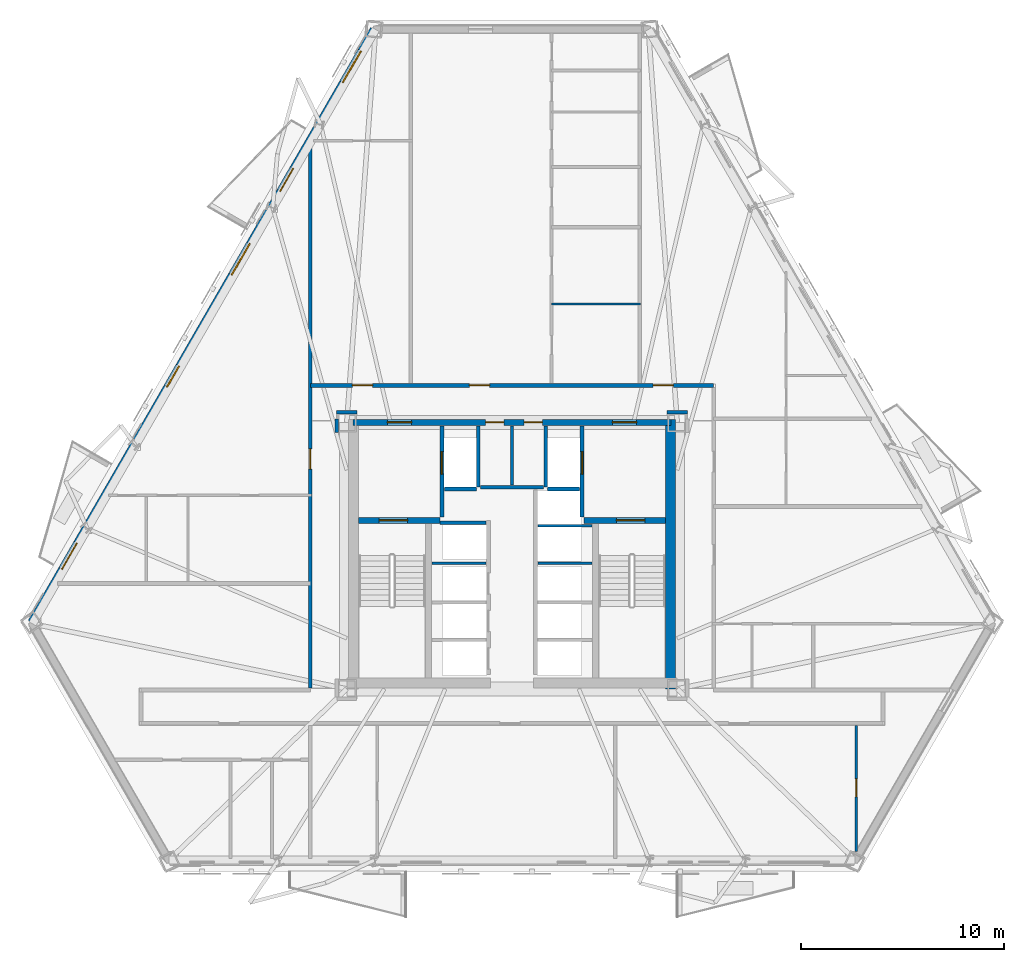
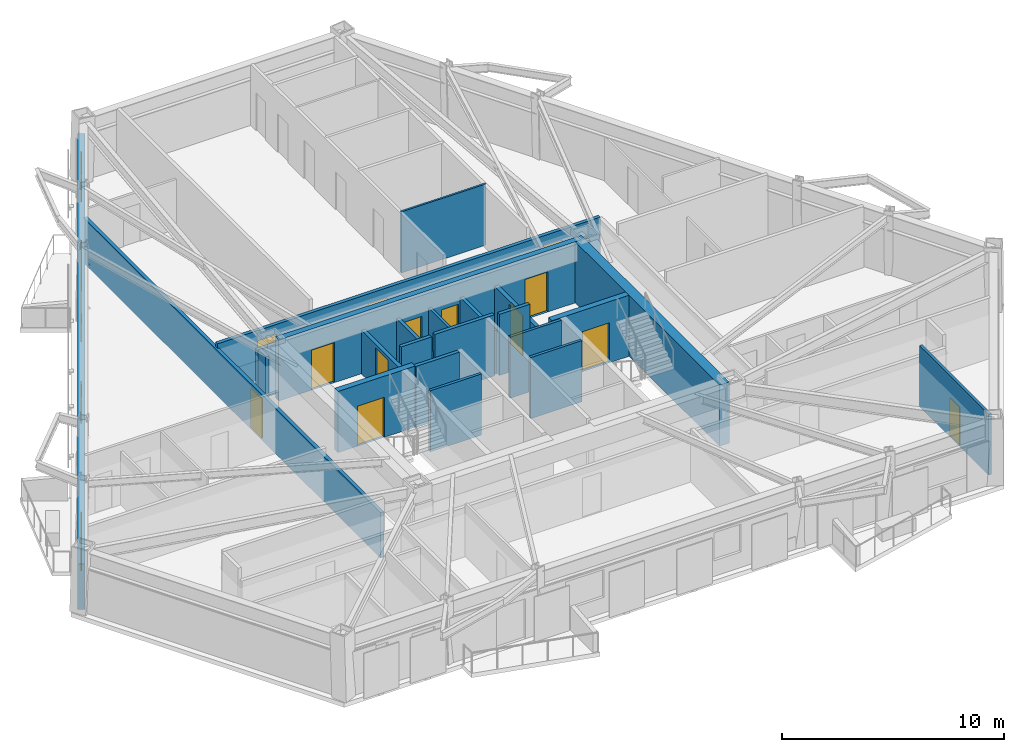
# One storey, part 4 of 10: 24 walls, 15 doors, 3 windows, 18 openings.
"""IFC4 building model written with IfcOpenShell, lengths in metres."""

from ifc_helpers import new_model, si_unit, direction, frame, frame_2d, origin, place, context, subcontext, project, spatial, rectangle, extrude, material, layer, layer_set, type_object, element, fill, save


model = new_model("IFC4")

# Units and contexts
model_context = context("Model", 3, precision=1e-05, world=origin(), true_north=direction((0.0, 1.0)))
body_context = subcontext(model_context, "Body", "Model", "MODEL_VIEW")
ifc_project = project(units=[si_unit("LENGTHUNIT", "METRE"), si_unit("AREAUNIT", "SQUARE_METRE"), si_unit("VOLUMEUNIT", "CUBIC_METRE"), si_unit("PLANEANGLEUNIT", "RADIAN"), si_unit("MASSUNIT", "GRAM", prefix="KILO")], contexts=[model_context])

# Site, building, storey
site_placement = place(None, origin())
site = spatial("IfcSite", under=ifc_project, at=site_placement, CompositionType="ELEMENT")
building_placement = place(site_placement, origin())
building = spatial("IfcBuilding", under=site, at=building_placement, Name="Oramaril Tower", CompositionType="ELEMENT")
storey_placement = place(building_placement, frame((0.0, 0.0, 66.89990234375)))
storey = spatial("IfcBuildingStorey", under=building, at=storey_placement, Name="L17", CompositionType="ELEMENT", Elevation=66.89990234375)

# Wall, openings, doors, windows
ifc_material_1 = material(Name="Warm Cream Limestone", Category="masonry")
ifc_layer_1 = layer(ifc_material_1, 0.340087890625)
ifc_layer_set_1 = layer_set([ifc_layer_1], Name="WT-EXT34")
wall_type_1 = type_object("IfcWallType", Name="WT-EXT34", PredefinedType="SOLIDWALL", material=ifc_layer_set_1)
wall_1_placement = place(storey_placement, frame((30.669189453125, 43.537109375, 0.0), z_axis=(0.0, 0.0, 1.0), x_axis=(-0.499997235847, -0.866026999663, 0.0)))
wall_1 = element("IfcWall", 1, at=wall_1_placement, inside=storey, type_object=wall_type_1, Name="L17 Tower Limestone Facade Wall 6M", PredefinedType="SOLIDWALL", context=body_context, shape_type="SweptSolid", body=[
    extrude(rectangle(XDim=33.763427734375, YDim=0.340087890625, at=frame_2d((16.8818359375, 0.0))), origin(), (0.0, 0.0, 1.0), 2.494140625),
])
opening_1_placement = place(wall_1_placement, frame((7.92431640625, 0.0, 0.0)))
opening_1 = element("IfcOpeningElement", 2, at=opening_1_placement, cuts=wall_1, Name="Opening D-L17-BAL-NW1", PredefinedType="OPENING", context=body_context, shape_type="SweptSolid", body=[
    extrude(rectangle(XDim=1.300048828125, YDim=2.199951171875, at=frame_2d((0.64990234375, 1.10009765625))), frame((0.0, 0.169921875, 0.0), z_axis=(0.0, -1.0, 0.0), x_axis=(1.0, 0.0, 0.0)), (0.0, 0.0, 1.0), 0.340087890625),
])
opening_2_placement = place(wall_1_placement, frame((29.254150390625, 0.0, 0.0)))
opening_2 = element("IfcOpeningElement", 3, at=opening_2_placement, cuts=wall_1, Name="Opening D-L17-BAL-NW2", PredefinedType="OPENING", context=body_context, shape_type="SweptSolid", body=[
    extrude(rectangle(XDim=1.5, YDim=2.199951171875, at=frame_2d((0.75, 1.10009765625))), frame((0.0, 0.169921875, 0.0), z_axis=(0.0, -1.0, 0.0), x_axis=(1.0, 0.0, 0.0)), (0.0, 0.0, 1.0), 0.340087890625),
])
opening_3_placement = place(wall_1_placement, frame((12.19921875, 0.0, 0.85009765625)))
opening_3 = element("IfcOpeningElement", 4, at=opening_3_placement, cuts=wall_1, Name="Opening WN-06", PredefinedType="OPENING", context=body_context, shape_type="SweptSolid", body=[
    extrude(rectangle(XDim=1.800048828125, YDim=1.533935546875, at=frame_2d((0.89990234375, 0.76708984375))), frame((0.0, 0.169921875, 0.0), z_axis=(0.0, -1.0, 0.0), x_axis=(1.0, 0.0, 0.0)), (0.0, 0.0, 1.0), 0.340087890625),
])
opening_4_placement = place(wall_1_placement, frame((19.18115234375, 0.0, 0.85009765625)))
opening_4 = element("IfcOpeningElement", 5, at=opening_4_placement, cuts=wall_1, Name="Opening WN-09", PredefinedType="OPENING", context=body_context, shape_type="SweptSolid", body=[
    extrude(rectangle(XDim=1.199951171875, YDim=1.47998046875, at=frame_2d((0.60009765625, 0.739990234375))), frame((0.0, 0.169921875, 0.0), z_axis=(0.0, -1.0, 0.0), x_axis=(1.0, 0.0, 0.0)), (0.0, 0.0, 1.0), 0.340087890625),
])
opening_5_placement = place(wall_1_placement, frame((1.23095703125, 0.0, 0.85009765625)))
opening_5 = element("IfcOpeningElement", 6, at=opening_5_placement, cuts=wall_1, Name="Opening WN-06", PredefinedType="OPENING", context=body_context, shape_type="SweptSolid", body=[
    extrude(rectangle(XDim=1.800048828125, YDim=1.533935546875, at=frame_2d((0.89990234375, 0.76708984375))), frame((0.0, 0.169921875, 0.0), z_axis=(0.0, -1.0, 0.0), x_axis=(1.0, 0.0, 0.0)), (0.0, 0.0, 1.0), 0.340087890625),
])
ifc_material_2 = material(Name="Anodised Aluminium 6063-T6", Category="aluminium")
door_type_1 = type_object("IfcDoorType", Name="DT-BAL", OperationType="NOTDEFINED", PredefinedType="DOOR", material=ifc_material_2)
door_1_placement = place(opening_2_placement, origin())
door_1 = element("IfcDoor", 7, at=door_1_placement, inside=storey, type_object=door_type_1, Name="L17 Balcony Glazed Door L17-BAL-NW2", OperationType="SINGLE_SWING_LEFT", OverallHeight=2.199951171875, OverallWidth=1.5, PredefinedType="DOOR", context=body_context, shape_type="SweptSolid", body=[
    extrude(rectangle(XDim=1.5, YDim=2.199951171875, at=frame_2d((0.75, 1.10009765625))), frame((0.0, 0.02490234375, 0.0), z_axis=(0.0, -1.0, 0.0), x_axis=(1.0, 0.0, 0.0)), (0.0, 0.0, 1.0), 0.050048828125),
])
fill(opening_2, door_1)
ifc_material_3 = material(Name="Anodised Aluminium 6063-T6", Category="aluminium")
door_type_2 = type_object("IfcDoorType", Name="DT-E2", OperationType="NOTDEFINED", PredefinedType="DOOR", material=ifc_material_3)
door_2_placement = place(opening_1_placement, origin())
door_2 = element("IfcDoor", 8, at=door_2_placement, inside=storey, type_object=door_type_2, Name="L17 Balcony Glazed Door L17-BAL-NW1", OperationType="SINGLE_SWING_RIGHT", OverallHeight=2.199951171875, OverallWidth=1.300048828125, PredefinedType="DOOR", context=body_context, shape_type="SweptSolid", body=[
    extrude(rectangle(XDim=1.300048828125, YDim=2.199951171875, at=frame_2d((0.64990234375, 1.10009765625))), frame((0.0, 0.02490234375, 0.0), z_axis=(0.0, -1.0, 0.0), x_axis=(1.0, 0.0, 0.0)), (0.0, 0.0, 1.0), 0.050048828125),
])
fill(opening_1, door_2)
ifc_material_4 = material(Name="Coastal Low-E Insulated Glass", Category="glass")
window_type_1 = type_object("IfcWindowType", Name="WNT-06", PartitioningType="SINGLE_PANEL", PredefinedType="WINDOW", material=ifc_material_4)
window_1_placement = place(opening_3_placement, origin())
window_1 = element("IfcWindow", 9, at=window_1_placement, inside=storey, type_object=window_type_1, Name="L17 Chicago Bay Window WN-06", OverallHeight=1.533935546875, OverallWidth=1.800048828125, PartitioningType="SINGLE_PANEL", PredefinedType="WINDOW", context=body_context, shape_type="SweptSolid", body=[
    extrude(rectangle(XDim=1.800048828125, YDim=1.533935546875, at=frame_2d((0.89990234375, 0.76708984375))), frame((0.0, 0.030029296875, 0.0), z_axis=(0.0, -1.0, 0.0), x_axis=(1.0, 0.0, 0.0)), (0.0, 0.0, 1.0), 0.06005859375),
])
fill(opening_3, window_1)
window_2_placement = place(opening_5_placement, origin())
window_2 = element("IfcWindow", 10, at=window_2_placement, inside=storey, type_object=window_type_1, Name="L17 Chicago Bay Window WN-06", OverallHeight=1.533935546875, OverallWidth=1.800048828125, PartitioningType="SINGLE_PANEL", PredefinedType="WINDOW", context=body_context, shape_type="SweptSolid", body=[
    extrude(rectangle(XDim=1.800048828125, YDim=1.533935546875, at=frame_2d((0.89990234375, 0.76708984375))), frame((0.0, 0.030029296875, 0.0), z_axis=(0.0, -1.0, 0.0), x_axis=(1.0, 0.0, 0.0)), (0.0, 0.0, 1.0), 0.06005859375),
])
fill(opening_5, window_2)
ifc_material_5 = material(Name="Coastal Low-E Insulated Glass", Category="glass")
window_type_2 = type_object("IfcWindowType", Name="WNT-09", PartitioningType="SINGLE_PANEL", PredefinedType="WINDOW", material=ifc_material_5)
window_3_placement = place(opening_4_placement, origin())
window_3 = element("IfcWindow", 11, at=window_3_placement, inside=storey, type_object=window_type_2, Name="L17 Chicago Bay Window WN-09", OverallHeight=1.47998046875, OverallWidth=1.199951171875, PartitioningType="SINGLE_PANEL", PredefinedType="WINDOW", context=body_context, shape_type="SweptSolid", body=[
    extrude(rectangle(XDim=1.199951171875, YDim=1.47998046875, at=frame_2d((0.60009765625, 0.739990234375))), frame((0.0, 0.030029296875, 0.0), z_axis=(0.0, -1.0, 0.0), x_axis=(1.0, 0.0, 0.0)), (0.0, 0.0, 1.0), 0.06005859375),
])
fill(opening_4, window_3)

# Walls
ifc_material_6 = material(Name="Acoustic Gypsum Board Partition")
ifc_layer_2 = layer(ifc_material_6, 0.10009765625)
ifc_layer_set_2 = layer_set([ifc_layer_2], Name="WT-PT10")
wall_type_2 = type_object("IfcWallType", Name="WT-PT10", PredefinedType="PARTITIONING", material=ifc_layer_set_2)
wall_2_placement = place(storey_placement, frame((39.449951171875, 29.989990234375, 0.0), z_axis=(0.0, 0.0, 1.0), x_axis=(1.0, 0.0, 0.0)))
element("IfcWall", 12, at=wall_2_placement, inside=storey, type_object=wall_type_2, Name="L17 Interior Partition PT-10", PredefinedType="PARTITIONING", context=body_context, shape_type="SweptSolid", body=[
    extrude(rectangle(XDim=4.400146484375, YDim=0.10009765625, at=frame_2d((2.2001953125, 0.0))), origin(), (0.0, 0.0, 1.0), 3.360107421875),
])
ifc_material_7 = material(Name="Acoustic Gypsum Board Partition")
ifc_layer_3 = layer(ifc_material_7, 0.139892578125)
ifc_layer_set_3 = layer_set([ifc_layer_3], Name="WT-PT14")
wall_type_3 = type_object("IfcWallType", Name="WT-PT14", PredefinedType="PARTITIONING", material=ifc_layer_set_3)
for number, where, z_axis, x_axis, name in (
    (13, (33.56005859375, 17.199951171875, 0.0), (0.0, 0.0, 1.0), (1.0, 0.0, 0.0), "L17 West Lift Divider"),
    (14, (38.780029296875, 17.199951171875, 0.0), (0.0, 0.0, 1.0), (1.0, 0.0, 0.0), "L17 East Lift Divider"),
    (15, (38.780029296875, 19.050048828125, 0.0), (0.0, 0.0, 1.0), (1.0, 0.0, 0.0), "L17 East Lift Divider"),
):
    element("IfcWall", number, at=place(storey_placement, frame(where, z_axis=z_axis, x_axis=x_axis)), inside=storey, type_object=wall_type_3, Name=name, PredefinedType="PARTITIONING", context=body_context, shape_type="SweptSolid", body=[
        extrude(rectangle(XDim=2.659912109375, YDim=0.139892578125, at=frame_2d((1.330078125, 0.0))), origin(), (0.0, 0.0, 1.0), 3.360107421875),
    ])
wall_3_placement = place(storey_placement, frame((37.5, 21.06005859375, 0.0), z_axis=(0.0, 0.0, 1.0), x_axis=(0.0, 1.0, 0.0)))
element("IfcWall", 16, at=wall_3_placement, inside=storey, type_object=wall_type_3, Name="L17 Core Service Divider", PredefinedType="PARTITIONING", context=body_context, shape_type="SweptSolid", body=[
    extrude(rectangle(XDim=2.919921875, YDim=0.139892578125, at=frame_2d((1.4599609375, 0.0))), origin(), (0.0, 0.0, 1.0), 2.400146484375),
])

# Wall, opening, door
wall_4_placement = place(storey_placement, frame((54.47998046875, 2.98388671875, 0.0), z_axis=(0.0, 0.0, 1.0), x_axis=(0.0, 1.0, 0.0)))
wall_4 = element("IfcWall", 17, at=wall_4_placement, inside=storey, type_object=wall_type_3, Name="L17 Interior Partition PT-14", PredefinedType="PARTITIONING", context=body_context, shape_type="SweptSolid", body=[
    extrude(rectangle(XDim=6.22216796875, YDim=0.139892578125, at=frame_2d((3.111083984375, 0.0))), origin(), (0.0, 0.0, 1.0), 3.360107421875),
])
opening_6_placement = place(wall_4_placement, frame((2.69580078125, 0.0, 0.0)))
opening_6 = element("IfcOpeningElement", 18, at=opening_6_placement, cuts=wall_4, Name="Opening D-L17-30", PredefinedType="OPENING", context=body_context, shape_type="SweptSolid", body=[
    extrude(rectangle(XDim=0.8798828125, YDim=2.080078125, at=frame_2d((0.43994140625, 1.0400390625))), frame((0.0, 0.06982421875, 0.0), z_axis=(0.0, -1.0, 0.0), x_axis=(1.0, 0.0, 0.0)), (0.0, 0.0, 1.0), 0.139892578125),
])
ifc_material_8 = material(Name="FSC Brazilian Freijo Hardwood", Category="wood")
door_type_3 = type_object("IfcDoorType", Name="DT-BATH", OperationType="NOTDEFINED", PredefinedType="DOOR", material=ifc_material_8)
door_3_placement = place(opening_6_placement, origin())
door_3 = element("IfcDoor", 19, at=door_3_placement, inside=storey, type_object=door_type_3, Name="L17 Flat L17-U2 Bathroom Door D-L17-30", OperationType="SINGLE_SWING_LEFT", OverallHeight=2.080078125, OverallWidth=0.8798828125, PredefinedType="DOOR", context=body_context, shape_type="SweptSolid", body=[
    extrude(rectangle(XDim=0.8798828125, YDim=2.080078125, at=frame_2d((0.43994140625, 1.0400390625))), frame((0.0, 0.02490234375, 0.0), z_axis=(0.0, -1.0, 0.0), x_axis=(1.0, 0.0, 0.0)), (0.0, 0.0, 1.0), 0.050048828125),
])
fill(opening_6, door_3)

# Walls
ifc_material_9 = material(Name="Autoclaved Cellular Concrete Block", Category="concrete")
ifc_layer_4 = layer(ifc_material_9, 0.179931640625)
ifc_layer_set_4 = layer_set([ifc_layer_4], Name="WT-PT18")
wall_type_4 = type_object("IfcWallType", Name="WT-PT18", PredefinedType="PARTITIONING", material=ifc_layer_set_4)
wall_5_placement = place(storey_placement, frame((35.840087890625, 20.9599609375, 0.0), z_axis=(0.0, 0.0, 1.0), x_axis=(0.0, 1.0, 0.0)))
element("IfcWall", 20, at=wall_5_placement, inside=storey, type_object=wall_type_4, Name="L17 FL-1 East Shaft Wall", PredefinedType="PARTITIONING", context=body_context, shape_type="SweptSolid", body=[
    extrude(rectangle(XDim=3.02001953125, YDim=0.179931640625, at=frame_2d((1.510009765625, 0.0))), origin(), (0.0, 0.0, 1.0), 2.400146484375),
])
wall_6_placement = place(storey_placement, frame((34.159912109375, 20.860107421875, 0.0), z_axis=(0.0, 0.0, 1.0), x_axis=(1.0, 0.0, 0.0)))
element("IfcWall", 21, at=wall_6_placement, inside=storey, type_object=wall_type_4, Name="L17 FL-1 South Shaft Wall", PredefinedType="PARTITIONING", context=body_context, shape_type="SweptSolid", body=[
    extrude(rectangle(XDim=1.580078125, YDim=0.179931640625, at=frame_2d((0.7900390625, 0.0))), origin(), (0.0, 0.0, 1.0), 3.360107421875),
])
wall_7_placement = place(storey_placement, frame((39.159912109375, 20.9599609375, 0.0), z_axis=(0.0, 0.0, 1.0), x_axis=(0.0, 1.0, 0.0)))
element("IfcWall", 22, at=wall_7_placement, inside=storey, type_object=wall_type_4, Name="L17 FL-2 West Shaft Wall", PredefinedType="PARTITIONING", context=body_context, shape_type="SweptSolid", body=[
    extrude(rectangle(XDim=3.02001953125, YDim=0.179931640625, at=frame_2d((1.510009765625, 0.0))), origin(), (0.0, 0.0, 1.0), 2.400146484375),
])
wall_8_placement = place(storey_placement, frame((39.260009765625, 20.860107421875, 0.0), z_axis=(0.0, 0.0, 1.0), x_axis=(1.0, 0.0, 0.0)))
element("IfcWall", 23, at=wall_8_placement, inside=storey, type_object=wall_type_4, Name="L17 FL-2 South Shaft Wall", PredefinedType="PARTITIONING", context=body_context, shape_type="SweptSolid", body=[
    extrude(rectangle(XDim=1.580078125, YDim=0.179931640625, at=frame_2d((0.7900390625, 0.0))), origin(), (0.0, 0.0, 1.0), 3.360107421875),
])
wall_9_placement = place(storey_placement, frame((33.949951171875, 19.199951171875, 0.0), z_axis=(0.0, 0.0, 1.0), x_axis=(1.0, 0.0, 0.0)))
element("IfcWall", 24, at=wall_9_placement, inside=storey, type_object=wall_type_4, Name="L17 High-Rise Lift H1 North Shaft Wall", PredefinedType="PARTITIONING", context=body_context, shape_type="SweptSolid", body=[
    extrude(rectangle(XDim=2.27001953125, YDim=0.179931640625, at=frame_2d((1.135009765625, 0.0))), origin(), (0.0, 0.0, 1.0), 3.360107421875),
])
wall_10_placement = place(storey_placement, frame((35.949951171875, 20.949951171875, 0.0), z_axis=(0.0, 0.0, 1.0), x_axis=(1.0, 0.0, 0.0)))
element("IfcWall", 25, at=wall_10_placement, inside=storey, type_object=wall_type_4, Name="L17 Lift Lobby North Partition", PredefinedType="PARTITIONING", context=body_context, shape_type="SweptSolid", body=[
    extrude(rectangle(XDim=3.10009765625, YDim=0.179931640625, at=frame_2d((1.550048828125, 0.0))), origin(), (0.0, 0.0, 1.0), 3.360107421875),
])
for number, where, z_axis, x_axis, name in (
    (26, (28.85498046875, 24.639892578125, 0.0), (0.0, 0.0, 1.0), (1.0, 0.0, 0.0), "L17 Interior Partition PT-18"),
    (27, (45.155029296875, 24.639892578125, 0.0), (0.0, 0.0, 1.0), (1.0, 0.0, 0.0), "L17 Interior Partition PT-18"),
):
    element("IfcWall", number, at=place(storey_placement, frame(where, z_axis=z_axis, x_axis=x_axis)), inside=storey, type_object=wall_type_4, Name=name, PredefinedType="PARTITIONING", context=body_context, shape_type="SweptSolid", body=[
        extrude(rectangle(XDim=0.989990234375, YDim=0.179931640625, at=frame_2d((0.4951171875, 0.0))), origin(), (0.0, 0.0, 1.0), 2.738037109375),
    ])

# Wall, openings, doors
wall_11_placement = place(storey_placement, frame((27.550048828125, 25.969970703125, 0.0), z_axis=(0.0, 0.0, 1.0), x_axis=(1.0, 0.0, 0.0)))
wall_11 = element("IfcWall", 28, at=wall_11_placement, inside=storey, type_object=wall_type_4, Name="L17 Interior Partition PT-18", PredefinedType="PARTITIONING", context=body_context, shape_type="SweptSolid", body=[
    extrude(rectangle(XDim=19.89990234375, YDim=0.179931640625, at=frame_2d((9.949951171875, 0.0))), origin(), (0.0, 0.0, 1.0), 2.738037109375),
])
opening_7_placement = place(wall_11_placement, frame((2.0703125, 0.0, 0.0)))
opening_7 = element("IfcOpeningElement", 29, at=opening_7_placement, cuts=wall_11, Name="Opening D-L17-13", PredefinedType="OPENING", context=body_context, shape_type="SweptSolid", body=[
    extrude(rectangle(XDim=1.0, YDim=2.179931640625, at=frame_2d((0.5, 1.08984375))), frame((0.0, 0.08984375, 0.0), z_axis=(0.0, -1.0, 0.0), x_axis=(1.0, 0.0, 0.0)), (0.0, 0.0, 1.0), 0.179931640625),
])
opening_8_placement = place(wall_11_placement, frame((7.851318359375, 0.0, 0.0)))
opening_8 = element("IfcOpeningElement", 30, at=opening_8_placement, cuts=wall_11, Name="Opening D-L17-14", PredefinedType="OPENING", context=body_context, shape_type="SweptSolid", body=[
    extrude(rectangle(XDim=1.0, YDim=2.179931640625, at=frame_2d((0.5, 1.08984375))), frame((0.0, 0.08984375, 0.0), z_axis=(0.0, -1.0, 0.0), x_axis=(1.0, 0.0, 0.0)), (0.0, 0.0, 1.0), 0.179931640625),
])
opening_9_placement = place(wall_11_placement, frame((16.91552734375, 0.0, 0.0)))
opening_9 = element("IfcOpeningElement", 31, at=opening_9_placement, cuts=wall_11, Name="Opening D-L17-15", PredefinedType="OPENING", context=body_context, shape_type="SweptSolid", body=[
    extrude(rectangle(XDim=1.0, YDim=2.179931640625, at=frame_2d((0.5, 1.08984375))), frame((0.0, 0.08984375, 0.0), z_axis=(0.0, -1.0, 0.0), x_axis=(1.0, 0.0, 0.0)), (0.0, 0.0, 1.0), 0.179931640625),
])
ifc_material_10 = material(Name="FSC Brazilian Freijo Hardwood", Category="wood")
door_type_4 = type_object("IfcDoorType", Name="DT-APT", OperationType="NOTDEFINED", PredefinedType="DOOR", material=ifc_material_10)
door_4_placement = place(opening_7_placement, origin())
door_4 = element("IfcDoor", 32, at=door_4_placement, inside=storey, type_object=door_type_4, Name="L17 Flat L17-U7 Kitchen and Studio Apartment Door D-L17-13", OperationType="SINGLE_SWING_RIGHT", OverallHeight=2.179931640625, OverallWidth=1.0, PredefinedType="DOOR", context=body_context, shape_type="SweptSolid", body=[
    extrude(rectangle(XDim=1.0, YDim=2.179931640625, at=frame_2d((0.5, 1.08984375))), frame((0.0, 0.02490234375, 0.0), z_axis=(0.0, -1.0, 0.0), x_axis=(1.0, 0.0, 0.0)), (0.0, 0.0, 1.0), 0.050048828125),
])
fill(opening_7, door_4)
door_5_placement = place(opening_8_placement, origin())
door_5 = element("IfcDoor", 33, at=door_5_placement, inside=storey, type_object=door_type_4, Name="L17 Flat L17-U8 Penthouse 2-Bedroom Living and Dining Room Door D-L17-14", OperationType="SINGLE_SWING_LEFT", OverallHeight=2.179931640625, OverallWidth=1.0, PredefinedType="DOOR", context=body_context, shape_type="SweptSolid", body=[
    extrude(rectangle(XDim=1.0, YDim=2.179931640625, at=frame_2d((0.5, 1.08984375))), frame((0.0, 0.02490234375, 0.0), z_axis=(0.0, -1.0, 0.0), x_axis=(1.0, 0.0, 0.0)), (0.0, 0.0, 1.0), 0.050048828125),
])
fill(opening_8, door_5)
door_6_placement = place(opening_9_placement, origin())
door_6 = element("IfcDoor", 34, at=door_6_placement, inside=storey, type_object=door_type_4, Name="L17 Flat L17-U9 Studio Apartment Door D-L17-15", OperationType="SINGLE_SWING_RIGHT", OverallHeight=2.179931640625, OverallWidth=1.0, PredefinedType="DOOR", context=body_context, shape_type="SweptSolid", body=[
    extrude(rectangle(XDim=1.0, YDim=2.179931640625, at=frame_2d((0.5, 1.08984375))), frame((0.0, 0.02490234375, 0.0), z_axis=(0.0, -1.0, 0.0), x_axis=(1.0, 0.0, 0.0)), (0.0, 0.0, 1.0), 0.050048828125),
])
fill(opening_9, door_6)

# Wall, opening, door
wall_12_placement = place(storey_placement, frame((27.550048828125, 11.0439453125, 0.0), z_axis=(0.0, 0.0, 1.0), x_axis=(0.0, 1.0, 0.0)))
wall_12 = element("IfcWall", 35, at=wall_12_placement, inside=storey, type_object=wall_type_4, Name="L17 Interior Partition PT-18", PredefinedType="PARTITIONING", context=body_context, shape_type="SweptSolid", body=[
    extrude(rectangle(XDim=26.742431640625, YDim=0.179931640625, at=frame_2d((13.37109375, 0.0))), origin(), (0.0, 0.0, 1.0), 2.494140625),
])
opening_10_placement = place(wall_12_placement, frame((10.79541015625, 0.0, 0.0)))
opening_10 = element("IfcOpeningElement", 36, at=opening_10_placement, cuts=wall_12, Name="Opening D-L17-17", PredefinedType="OPENING", context=body_context, shape_type="SweptSolid", body=[
    extrude(rectangle(XDim=1.0, YDim=2.179931640625, at=frame_2d((0.5, 1.08984375))), frame((0.0, 0.08984375, 0.0), z_axis=(0.0, -1.0, 0.0), x_axis=(1.0, 0.0, 0.0)), (0.0, 0.0, 1.0), 0.179931640625),
])
door_7_placement = place(opening_10_placement, origin())
door_7 = element("IfcDoor", 37, at=door_7_placement, inside=storey, type_object=door_type_4, Name="L17 Flat L17-U4 Penthouse Living and Dining Room Door D-L17-17", OperationType="SINGLE_SWING_RIGHT", OverallHeight=2.179931640625, OverallWidth=1.0, PredefinedType="DOOR", context=body_context, shape_type="SweptSolid", body=[
    extrude(rectangle(XDim=1.0, YDim=2.179931640625, at=frame_2d((0.5, 1.08984375))), frame((0.0, 0.02490234375, 0.0), z_axis=(0.0, -1.0, 0.0), x_axis=(1.0, 0.0, 0.0)), (0.0, 0.0, 1.0), 0.050048828125),
])
fill(opening_10, door_7)

# Wall
wall_13_placement = place(storey_placement, frame((28.860107421875, 23.655029296875, 0.0), z_axis=(0.0, 0.0, 1.0), x_axis=(0.0, 1.0, 0.0)))
element("IfcWall", 38, at=wall_13_placement, inside=storey, type_object=wall_type_4, Name="L17 Interior Partition PT-18", PredefinedType="PARTITIONING", context=body_context, shape_type="SweptSolid", body=[
    extrude(rectangle(XDim=0.6650390625, YDim=0.179931640625, at=frame_2d((0.33251953125, 0.0))), origin(), (0.0, 0.0, 1.0), 2.946044921875),
])

# Wall, openings, doors
ifc_material_11 = material(Name="Concrete C50/60", Category="concrete")
ifc_layer_5 = layer(ifc_material_11, 0.300048828125)
ifc_layer_set_5 = layer_set([ifc_layer_5], Name="WT-SH30")
wall_type_5 = type_object("IfcWallType", Name="WT-SH30", PredefinedType="SHEAR", material=ifc_layer_set_5)
wall_14_placement = place(storey_placement, frame((29.64990234375, 24.14990234375, 0.0), z_axis=(0.0, 0.0, 1.0), x_axis=(1.0, 0.0, 0.0)))
wall_14 = element("IfcWall", 39, at=wall_14_placement, inside=storey, type_object=wall_type_5, Name="L17 Core Shear Wall CW-N", PredefinedType="SHEAR", context=body_context, shape_type="SweptSolid", body=[
    extrude(rectangle(XDim=15.7001953125, YDim=0.300048828125, at=frame_2d((7.85009765625, 0.0))), origin(), (0.0, 0.0, 1.0), 3.360107421875),
])
opening_11_placement = place(wall_14_placement, frame((1.699951171875, 0.0, 0.0)))
opening_11 = element("IfcOpeningElement", 40, at=opening_11_placement, cuts=wall_14, Name="Opening D-L17-FFL1", PredefinedType="OPENING", context=body_context, shape_type="SweptSolid", body=[
    extrude(rectangle(XDim=1.199951171875, YDim=2.199951171875, at=frame_2d((0.60009765625, 1.10009765625))), frame((0.0, 0.14990234375, 0.0), z_axis=(0.0, -1.0, 0.0), x_axis=(1.0, 0.0, 0.0)), (0.0, 0.0, 1.0), 0.300048828125),
])
opening_12_placement = place(wall_14_placement, frame((12.800048828125, 0.0, 0.0)))
opening_12 = element("IfcOpeningElement", 41, at=opening_12_placement, cuts=wall_14, Name="Opening D-L17-FFL2", PredefinedType="OPENING", context=body_context, shape_type="SweptSolid", body=[
    extrude(rectangle(XDim=1.199951171875, YDim=2.199951171875, at=frame_2d((0.60009765625, 1.10009765625))), frame((0.0, 0.14990234375, 0.0), z_axis=(0.0, -1.0, 0.0), x_axis=(1.0, 0.0, 0.0)), (0.0, 0.0, 1.0), 0.300048828125),
])
opening_13_placement = place(wall_14_placement, frame((6.550048828125, 0.0, 0.0)))
opening_13 = element("IfcOpeningElement", 42, at=opening_13_placement, cuts=wall_14, Name="Opening D-L17-SV1", PredefinedType="OPENING", context=body_context, shape_type="SweptSolid", body=[
    extrude(rectangle(XDim=0.89990234375, YDim=2.050048828125, at=frame_2d((0.449951171875, 1.02490234375))), frame((0.0, 0.14990234375, 0.0), z_axis=(0.0, -1.0, 0.0), x_axis=(1.0, 0.0, 0.0)), (0.0, 0.0, 1.0), 0.300048828125),
])
opening_14_placement = place(wall_14_placement, frame((8.449951171875, 0.0, 0.0)))
opening_14 = element("IfcOpeningElement", 43, at=opening_14_placement, cuts=wall_14, Name="Opening D-L17-SV2", PredefinedType="OPENING", context=body_context, shape_type="SweptSolid", body=[
    extrude(rectangle(XDim=0.89990234375, YDim=2.050048828125, at=frame_2d((0.449951171875, 1.02490234375))), frame((0.0, 0.14990234375, 0.0), z_axis=(0.0, -1.0, 0.0), x_axis=(1.0, 0.0, 0.0)), (0.0, 0.0, 1.0), 0.300048828125),
])
ifc_material_12 = material(Name="Painted Galvanised Steel", Category="steel")
door_type_5 = type_object("IfcDoorType", Name="DT-FFL", OperationType="NOTDEFINED", PredefinedType="DOOR", material=ifc_material_12)
door_8_placement = place(opening_11_placement, origin())
door_8 = element("IfcDoor", 44, at=door_8_placement, inside=storey, type_object=door_type_5, Name="L17 Firefighting Lobby 1 Fire Door", OperationType="SINGLE_SWING_LEFT", OverallHeight=2.199951171875, OverallWidth=1.199951171875, PredefinedType="DOOR", context=body_context, shape_type="SweptSolid", body=[
    extrude(rectangle(XDim=1.199951171875, YDim=2.199951171875, at=frame_2d((0.60009765625, 1.10009765625))), frame((0.0, 0.02490234375, 0.0), z_axis=(0.0, -1.0, 0.0), x_axis=(1.0, 0.0, 0.0)), (0.0, 0.0, 1.0), 0.050048828125),
])
fill(opening_11, door_8)
door_9_placement = place(opening_12_placement, origin())
door_9 = element("IfcDoor", 45, at=door_9_placement, inside=storey, type_object=door_type_5, Name="L17 Firefighting Lobby 2 Fire Door", OperationType="SINGLE_SWING_RIGHT", OverallHeight=2.199951171875, OverallWidth=1.199951171875, PredefinedType="DOOR", context=body_context, shape_type="SweptSolid", body=[
    extrude(rectangle(XDim=1.199951171875, YDim=2.199951171875, at=frame_2d((0.60009765625, 1.10009765625))), frame((0.0, 0.02490234375, 0.0), z_axis=(0.0, -1.0, 0.0), x_axis=(1.0, 0.0, 0.0)), (0.0, 0.0, 1.0), 0.050048828125),
])
fill(opening_12, door_9)
ifc_material_13 = material(Name="Painted Galvanised Steel", Category="steel")
door_type_6 = type_object("IfcDoorType", Name="DT-SVC", OperationType="NOTDEFINED", PredefinedType="DOOR", material=ifc_material_13)
door_10_placement = place(opening_13_placement, origin())
door_10 = element("IfcDoor", 46, at=door_10_placement, inside=storey, type_object=door_type_6, Name="L17 Core Service Store 1 Door", OperationType="SINGLE_SWING_LEFT", OverallHeight=2.050048828125, OverallWidth=0.89990234375, PredefinedType="DOOR", context=body_context, shape_type="SweptSolid", body=[
    extrude(rectangle(XDim=0.89990234375, YDim=2.050048828125, at=frame_2d((0.449951171875, 1.02490234375))), frame((0.0, 0.02490234375, 0.0), z_axis=(0.0, -1.0, 0.0), x_axis=(1.0, 0.0, 0.0)), (0.0, 0.0, 1.0), 0.050048828125),
])
fill(opening_13, door_10)
door_11_placement = place(opening_14_placement, origin())
door_11 = element("IfcDoor", 47, at=door_11_placement, inside=storey, type_object=door_type_6, Name="L17 Core Service Store 2 Door", OperationType="SINGLE_SWING_RIGHT", OverallHeight=2.050048828125, OverallWidth=0.89990234375, PredefinedType="DOOR", context=body_context, shape_type="SweptSolid", body=[
    extrude(rectangle(XDim=0.89990234375, YDim=2.050048828125, at=frame_2d((0.449951171875, 1.02490234375))), frame((0.0, 0.02490234375, 0.0), z_axis=(0.0, -1.0, 0.0), x_axis=(1.0, 0.0, 0.0)), (0.0, 0.0, 1.0), 0.050048828125),
])
fill(opening_14, door_11)

# Wall, opening, door
wall_15_placement = place(storey_placement, frame((29.93994140625, 19.31005859375, 0.0), z_axis=(0.0, 0.0, 1.0), x_axis=(1.0, 0.0, 0.0)))
wall_15 = element("IfcWall", 48, at=wall_15_placement, inside=storey, type_object=wall_type_5, Name="L17 Core Shear Wall CW-ST1N", PredefinedType="SHEAR", context=body_context, shape_type="SweptSolid", body=[
    extrude(rectangle(XDim=4.010009765625, YDim=0.300048828125, at=frame_2d((2.0048828125, 0.0))), origin(), (0.0, 0.0, 1.0), 3.360107421875),
])
opening_15_placement = place(wall_15_placement, frame((1.010009765625, 0.0, 0.0)))
opening_15 = element("IfcOpeningElement", 49, at=opening_15_placement, cuts=wall_15, Name="Opening D-L17-ST1", PredefinedType="OPENING", context=body_context, shape_type="SweptSolid", body=[
    extrude(rectangle(XDim=1.39990234375, YDim=2.199951171875, at=frame_2d((0.699951171875, 1.10009765625))), frame((0.0, 0.14990234375, 0.0), z_axis=(0.0, -1.0, 0.0), x_axis=(1.0, 0.0, 0.0)), (0.0, 0.0, 1.0), 0.300048828125),
])
ifc_material_14 = material(Name="Painted Galvanised Steel", Category="steel")
door_type_7 = type_object("IfcDoorType", Name="DT-ST", OperationType="NOTDEFINED", PredefinedType="DOOR", material=ifc_material_14)
door_12_placement = place(opening_15_placement, origin())
door_12 = element("IfcDoor", 50, at=door_12_placement, inside=storey, type_object=door_type_7, Name="L17 Protected Stair ST-1 Fire Door", OperationType="SINGLE_SWING_LEFT", OverallHeight=2.199951171875, OverallWidth=1.39990234375, PredefinedType="DOOR", context=body_context, shape_type="SweptSolid", body=[
    extrude(rectangle(XDim=1.39990234375, YDim=2.199951171875, at=frame_2d((0.699951171875, 1.10009765625))), frame((0.0, 0.02490234375, 0.0), z_axis=(0.0, -1.0, 0.0), x_axis=(1.0, 0.0, 0.0)), (0.0, 0.0, 1.0), 0.050048828125),
])
fill(opening_15, door_12)

wall_16_placement = place(storey_placement, frame((41.050048828125, 19.31005859375, 0.0), z_axis=(0.0, 0.0, 1.0), x_axis=(1.0, 0.0, 0.0)))
wall_16 = element("IfcWall", 51, at=wall_16_placement, inside=storey, type_object=wall_type_5, Name="L17 Core Shear Wall CW-ST2N", PredefinedType="SHEAR", context=body_context, shape_type="SweptSolid", body=[
    extrude(rectangle(XDim=4.010009765625, YDim=0.300048828125, at=frame_2d((2.0048828125, 0.0))), origin(), (0.0, 0.0, 1.0), 3.360107421875),
])
opening_16_placement = place(wall_16_placement, frame((1.60009765625, 0.0, 0.0)))
opening_16 = element("IfcOpeningElement", 52, at=opening_16_placement, cuts=wall_16, Name="Opening D-L17-ST2", PredefinedType="OPENING", context=body_context, shape_type="SweptSolid", body=[
    extrude(rectangle(XDim=1.39990234375, YDim=2.199951171875, at=frame_2d((0.699951171875, 1.10009765625))), frame((0.0, 0.14990234375, 0.0), z_axis=(0.0, -1.0, 0.0), x_axis=(1.0, 0.0, 0.0)), (0.0, 0.0, 1.0), 0.300048828125),
])
door_13_placement = place(opening_16_placement, origin())
door_13 = element("IfcDoor", 53, at=door_13_placement, inside=storey, type_object=door_type_7, Name="L17 Protected Stair ST-2 Fire Door", OperationType="SINGLE_SWING_RIGHT", OverallHeight=2.199951171875, OverallWidth=1.39990234375, PredefinedType="DOOR", context=body_context, shape_type="SweptSolid", body=[
    extrude(rectangle(XDim=1.39990234375, YDim=2.199951171875, at=frame_2d((0.699951171875, 1.10009765625))), frame((0.0, 0.02490234375, 0.0), z_axis=(0.0, -1.0, 0.0), x_axis=(1.0, 0.0, 0.0)), (0.0, 0.0, 1.0), 0.050048828125),
])
fill(opening_16, door_13)

# Wall
ifc_material_15 = material(Name="Concrete C50/60", Category="concrete")
ifc_layer_6 = layer(ifc_material_15, 0.5)
ifc_layer_set_6 = layer_set([ifc_layer_6], Name="WT-SH50")
wall_type_6 = type_object("IfcWallType", Name="WT-SH50", PredefinedType="SHEAR", material=ifc_layer_set_6)
wall_17_placement = place(storey_placement, frame((45.31005859375, 11.0, 0.0), z_axis=(0.0, 0.0, 1.0), x_axis=(0.0, 1.0, 0.0)))
element("IfcWall", 54, at=wall_17_placement, inside=storey, type_object=wall_type_6, Name="L17 Core Shear Wall CW-E", PredefinedType="SHEAR", context=body_context, shape_type="SweptSolid", body=[
    extrude(rectangle(XDim=13.300048828125, YDim=0.5, at=frame_2d((6.64990234375, 0.0))), origin(), (0.0, 0.0, 1.0), 3.360107421875),
])

# Wall, opening, door
ifc_material_16 = material(Name="Autoclaved Cellular Concrete Block", Category="concrete")
ifc_layer_7 = layer(ifc_material_16, 0.199951171875)
ifc_layer_set_7 = layer_set([ifc_layer_7], Name="WT-SHF20")
wall_type_7 = type_object("IfcWallType", Name="WT-SHF20", PredefinedType="PARTITIONING", material=ifc_layer_set_7)
wall_18_placement = place(storey_placement, frame((34.0400390625, 19.47998046875, 0.0), z_axis=(0.0, 0.0, 1.0), x_axis=(0.0, 1.0, 0.0)))
wall_18 = element("IfcWall", 55, at=wall_18_placement, inside=storey, type_object=wall_type_7, Name="L17 FL-1 Lobby Shaft Wall", PredefinedType="PARTITIONING", context=body_context, shape_type="SweptSolid", body=[
    extrude(rectangle(XDim=4.5, YDim=0.199951171875, at=frame_2d((2.25, 0.0))), origin(), (0.0, 0.0, 1.0), 2.400146484375),
])
opening_17_placement = place(wall_18_placement, frame((2.1201171875, 0.0, 0.0)))
opening_17 = element("IfcOpeningElement", 56, at=opening_17_placement, cuts=wall_18, Name="Opening LD-L17-FL-1", PredefinedType="OPENING", context=body_context, shape_type="SweptSolid", body=[
    extrude(rectangle(XDim=1.10009765625, YDim=2.199951171875, at=frame_2d((0.550048828125, 1.10009765625))), frame((0.0, 0.10009765625, 0.0), z_axis=(0.0, -1.0, 0.0), x_axis=(1.0, 0.0, 0.0)), (0.0, 0.0, 1.0), 0.199951171875),
])
ifc_material_17 = material(Name="Stainless Steel 316L", Category="steel")
door_type_8 = type_object("IfcDoorType", Name="DT-LD1", OperationType="NOTDEFINED", PredefinedType="DOOR", material=ifc_material_17)
door_14_placement = place(opening_17_placement, origin())
door_14 = element("IfcDoor", 57, at=door_14_placement, inside=storey, type_object=door_type_8, Name="L17 Lift FL-1 Sliding Landing Door", OperationType="SLIDING_TO_LEFT", OverallHeight=2.199951171875, OverallWidth=1.10009765625, PredefinedType="DOOR", context=body_context, shape_type="SweptSolid", body=[
    extrude(rectangle(XDim=1.10009765625, YDim=2.199951171875, at=frame_2d((0.550048828125, 1.10009765625))), frame((0.0, 0.02490234375, 0.0), z_axis=(0.0, -1.0, 0.0), x_axis=(1.0, 0.0, 0.0)), (0.0, 0.0, 1.0), 0.050048828125),
])
fill(opening_17, door_14)

wall_19_placement = place(storey_placement, frame((40.9599609375, 19.47998046875, 0.0), z_axis=(0.0, 0.0, 1.0), x_axis=(0.0, 1.0, 0.0)))
wall_19 = element("IfcWall", 58, at=wall_19_placement, inside=storey, type_object=wall_type_7, Name="L17 FL-2 Lobby Shaft Wall", PredefinedType="PARTITIONING", context=body_context, shape_type="SweptSolid", body=[
    extrude(rectangle(XDim=4.5, YDim=0.199951171875, at=frame_2d((2.25, 0.0))), origin(), (0.0, 0.0, 1.0), 2.400146484375),
])
opening_18_placement = place(wall_19_placement, frame((2.1201171875, 0.0, 0.0)))
opening_18 = element("IfcOpeningElement", 59, at=opening_18_placement, cuts=wall_19, Name="Opening LD-L17-FL-2", PredefinedType="OPENING", context=body_context, shape_type="SweptSolid", body=[
    extrude(rectangle(XDim=1.10009765625, YDim=2.199951171875, at=frame_2d((0.550048828125, 1.10009765625))), frame((0.0, 0.10009765625, 0.0), z_axis=(0.0, -1.0, 0.0), x_axis=(1.0, 0.0, 0.0)), (0.0, 0.0, 1.0), 0.199951171875),
])
door_15_placement = place(opening_18_placement, origin())
door_15 = element("IfcDoor", 60, at=door_15_placement, inside=storey, type_object=door_type_8, Name="L17 Lift FL-2 Sliding Landing Door", OperationType="SLIDING_TO_RIGHT", OverallHeight=2.199951171875, OverallWidth=1.10009765625, PredefinedType="DOOR", context=body_context, shape_type="SweptSolid", body=[
    extrude(rectangle(XDim=1.10009765625, YDim=2.199951171875, at=frame_2d((0.550048828125, 1.10009765625))), frame((0.0, 0.02490234375, 0.0), z_axis=(0.0, -1.0, 0.0), x_axis=(1.0, 0.0, 0.0)), (0.0, 0.0, 1.0), 0.050048828125),
])
fill(opening_18, door_15)

save(model, "model.ifc")
